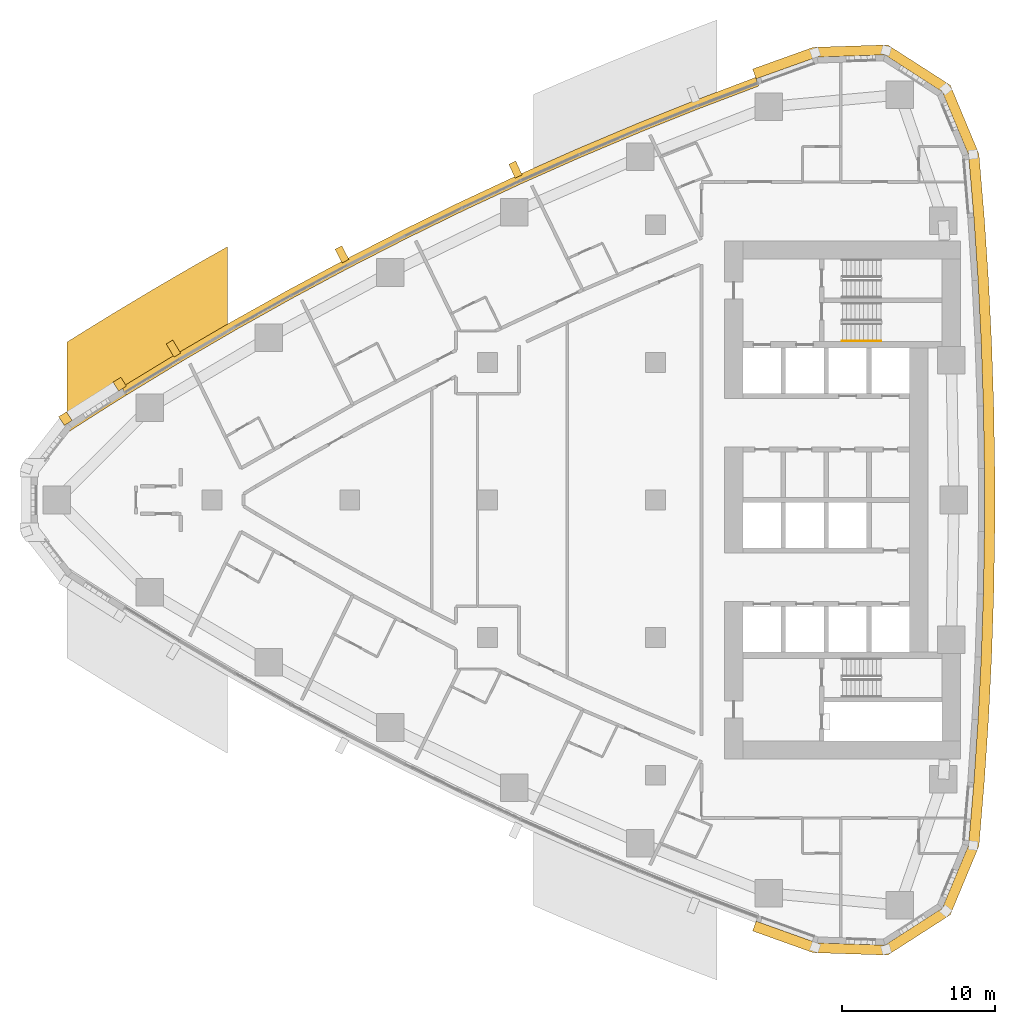
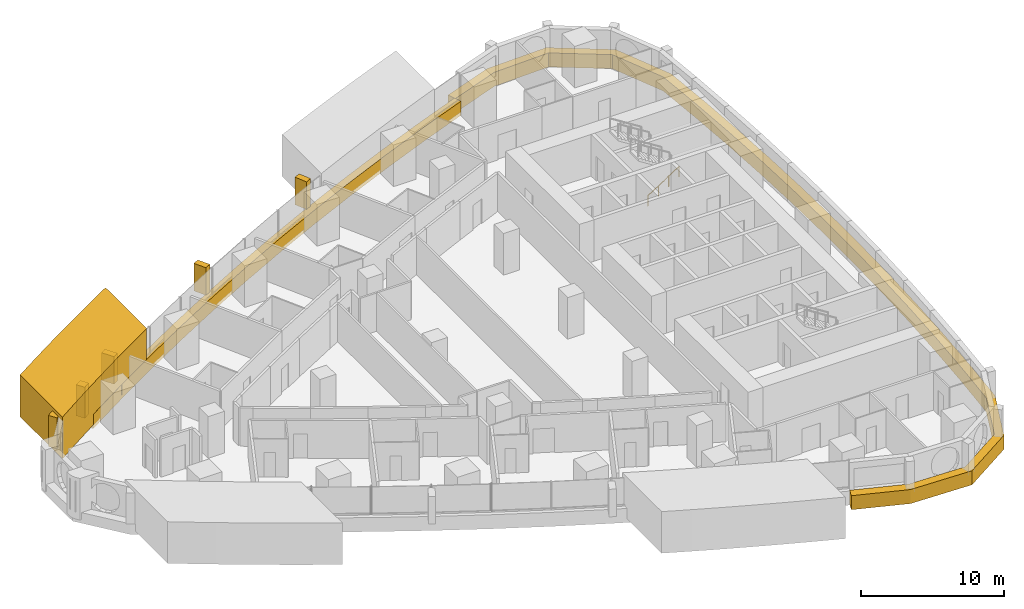
# One storey, part 17 of 19: 8 coverings, 1 railing.
"""IFC4 building model written with IfcOpenShell, lengths in metres."""

from ifc_helpers import new_model, si_unit, direction, frame, frame_2d, origin, origin_2d, place, context, subcontext, project, spatial, polyline, rectangle, circle, outline, extrude, material, layer, layer_set, type_object, element, save


model = new_model("IFC4")

# Units and contexts
model_context = context("Model", 3, precision=1e-05, world=origin(), true_north=direction((0.0, 1.0)))
body_context = subcontext(model_context, "Body", "Model", "MODEL_VIEW")
ifc_project = project(units=[si_unit("LENGTHUNIT", "METRE"), si_unit("AREAUNIT", "SQUARE_METRE"), si_unit("VOLUMEUNIT", "CUBIC_METRE"), si_unit("PLANEANGLEUNIT", "RADIAN"), si_unit("MASSUNIT", "GRAM", prefix="KILO")], contexts=[model_context])

# Site, building, storey
site_placement = place(None, origin())
site = spatial("IfcSite", under=ifc_project, at=site_placement, CompositionType="ELEMENT")
building_placement = place(site_placement, origin())
building = spatial("IfcBuilding", under=site, at=building_placement, Name="Ostrand Prow Hotel Tower", CompositionType="ELEMENT")
storey_placement = place(building_placement, frame((0.0, 0.0, 53.800048828125)))
storey = spatial("IfcBuildingStorey", under=building, at=storey_placement, Name="L11", CompositionType="ELEMENT", Elevation=53.800048828125)

# Coverings
ifc_material_1 = material(Name="Bronze anodised aluminium cladding", Category="aluminium")
ifc_layer_1 = layer(ifc_material_1, 0.60009765625)
ifc_layer_set_1 = layer_set([ifc_layer_1], Name="Bronze anodised aluminium cladding")
covering_type_1 = type_object("IfcCoveringType", Name="Bronze spandrel band 1200x600", PredefinedType="CLADDING", material=ifc_layer_set_1)
covering_1_placement = place(storey_placement, frame((0.0, 0.0, -0.300048828125)))
element("IfcCovering", 1, at=covering_1_placement, inside=storey, type_object=covering_type_1, Name="Spandrel band N1", PredefinedType="CLADDING", context=body_context, shape_type="SweptSolid", body=[
    extrude(outline(polyline([(51.5361328125, 27.6328125), (47.607666015625, 26.142578125), (43.70751953125, 24.580078125), (39.83642578125, 22.946044921875), (35.996337890625, 21.2412109375), (32.188232421875, 19.4658203125), (28.413330078125, 17.62060546875), (24.673095703125, 15.70654296875), (20.968994140625, 13.723876953125), (17.301513671875, 11.673095703125), (13.672607421875, 9.555419921875), (10.08349609375, 7.371337890625), (10.39990234375, 6.86181640625), (13.97998046875, 9.0400390625), (17.59912109375, 11.152099609375), (21.2568359375, 13.197509765625), (24.951416015625, 15.1748046875), (28.681884765625, 17.083984375), (32.44677734375, 18.92431640625), (36.244873046875, 20.695068359375), (40.074951171875, 22.3955078125), (43.935791015625, 24.025146484375), (47.82568359375, 25.58349609375), (51.743896484375, 27.070068359375), (51.5361328125, 27.6328125)])), origin(), (0.0, 0.0, 1.0), 1.199951171875),
])
covering_2_placement = place(storey_placement, frame((0.0, 0.0, -0.300048828125)))
element("IfcCovering", 2, at=covering_2_placement, inside=storey, type_object=covering_type_1, Name="Spandrel band back 1", PredefinedType="CLADDING", context=body_context, shape_type="SweptSolid", body=[
    extrude(outline(polyline([(51.335205078125, -28.177001953125), (55.300537109375, -29.5986328125), (60.16796875, -29.758056640625), (64.26318359375, -27.123046875), (66.13525390625, -22.627197265625), (66.48046875, -18.521728515625), (66.756591796875, -14.411376953125), (66.964111328125, -10.296630859375), (67.102294921875, -6.17919921875), (67.17138671875, -2.059814453125), (67.17138671875, 2.059814453125), (67.102294921875, 6.17919921875), (66.964111328125, 10.296630859375), (66.756591796875, 14.411376953125), (66.48046875, 18.521728515625), (66.13525390625, 22.627197265625), (64.26318359375, 27.123046875), (60.16796875, 29.758056640625), (55.300537109375, 29.5986328125), (51.335205078125, 28.177001953125), (51.57080078125, 27.5390625), (55.524169921875, 28.956298828125), (59.98681640625, 29.1025390625), (63.74169921875, 26.6865234375), (65.4580078125, 22.564453125), (65.802490234375, 18.470458984375), (66.077880859375, 14.371337890625), (66.28466796875, 10.26806640625), (66.422607421875, 6.162109375), (66.491455078125, 2.05419921875), (66.491455078125, -2.05419921875), (66.422607421875, -6.162109375), (66.28466796875, -10.26806640625), (66.077880859375, -14.371337890625), (65.802490234375, -18.470458984375), (65.4580078125, -22.564453125), (63.74169921875, -26.6865234375), (59.98681640625, -29.1025390625), (55.524169921875, -28.956298828125), (51.57080078125, -27.5390625), (51.335205078125, -28.177001953125)])), origin(), (0.0, 0.0, 1.0), 1.199951171875),
])
ifc_material_2 = material(Name="Limestone cladding", Category="masonry")
ifc_layer_2 = layer(ifc_material_2, 5.0)
ifc_layer_set_2 = layer_set([ifc_layer_2], Name="Limestone cladding")
covering_type_2 = type_object("IfcCoveringType", Name="Portal jamb pilaster limestone", PredefinedType="CLADDING", material=ifc_layer_set_2)
covering_3_placement = place(storey_placement, origin())
element("IfcCovering", 3, at=covering_3_placement, inside=storey, type_object=covering_type_2, Name="Portal jamb NA L11", PredefinedType="CLADDING", context=body_context, shape_type="SweptSolid", body=[
    extrude(outline(polyline([(6.5, 4.3837890625), (7.45458984375, 5.00048828125), (8.4091796875, 5.610595703125), (9.363525390625, 6.214111328125), (10.318115234375, 6.810791015625), (11.272705078125, 7.401123046875), (12.227294921875, 7.98486328125), (13.181884765625, 8.562255859375), (14.136474609375, 9.13330078125), (15.0908203125, 9.697998046875), (16.04541015625, 10.25634765625), (17.0, 10.80859375), (17.0, 16.556640625), (16.04541015625, 16.020263671875), (15.0908203125, 15.4775390625), (14.136474609375, 14.92919921875), (13.181884765625, 14.37451171875), (12.227294921875, 13.81396484375), (11.272705078125, 13.247314453125), (10.318115234375, 12.67431640625), (9.363525390625, 12.09521484375), (8.4091796875, 11.509521484375), (7.45458984375, 10.917724609375), (6.5, 10.319580078125), (6.5, 4.3837890625)])), origin(), (0.0, 0.0, 1.0), 3.550048828125),
])
ifc_material_3 = material(Name="Limestone cladding", Category="masonry")
ifc_layer_3 = layer(ifc_material_3, 0.5)
ifc_layer_set_3 = layer_set([ifc_layer_3], Name="Limestone cladding")
covering_type_3 = type_object("IfcCoveringType", Name="Precast stone fin 500x900", PredefinedType="CLADDING", material=ifc_layer_set_3)
for number, where, z_axis, x_axis, name in (
    (4, (36.037841796875, 21.150146484375, 0.89990234375), (0.0, 0.0, 1.0), (-0.414299516417, 0.910140599411, 0.0), "Stone fin N 5"),
    (5, (24.719482421875, 15.617919921875, 0.89990234375), (0.0, 0.0, 1.0), (-0.463642032659, 0.886022610068, 0.0), "Stone fin N 8"),
    (6, (13.723876953125, 9.469482421875, 0.89990234375), (0.0, 0.0, 1.0), (-0.511908673433, 0.859039876877, 0.0), "Stone fin N 11"),
):
    element("IfcCovering", number, at=place(storey_placement, frame(where, z_axis=z_axis, x_axis=x_axis)), inside=storey, type_object=covering_type_3, Name=name, PredefinedType="CLADDING", context=body_context, shape_type="SweptSolid", body=[
        extrude(rectangle(XDim=1.0, YDim=0.5, at=frame_2d((0.5, 0.0))), origin(), (0.0, 0.0, 1.0), 2.35009765625),
    ])
ifc_material_4 = material(Name="Limestone cladding", Category="masonry")
ifc_layer_4 = layer(ifc_material_4, 0.60009765625)
ifc_layer_set_4 = layer_set([ifc_layer_4], Name="Limestone cladding")
covering_type_4 = type_object("IfcCoveringType", Name="Precast stone prow rib 600x600", PredefinedType="CLADDING", material=ifc_layer_set_4)
for number, where, z_axis, x_axis, name in (
    (7, (10.13623046875, 7.286376953125, 0.599853515625), (0.0, 0.0, 1.0), (-0.527738148304, 0.849407114889, 0.0), "Stone prow rib 1"),
    (8, (6.589111328125, 5.03759765625, 0.599853515625), (0.0, 0.0, 1.0), (-0.543295944087, 0.839541253983, 0.0), "Stone prow rib 2"),
):
    element("IfcCovering", number, at=place(storey_placement, frame(where, z_axis=z_axis, x_axis=x_axis)), inside=storey, type_object=covering_type_4, Name=name, PredefinedType="CLADDING", context=body_context, shape_type="SweptSolid", body=[
        extrude(rectangle(XDim=0.679931640625, YDim=0.60009765625, at=frame_2d((0.33984375, 0.0))), origin(), (0.0, 0.0, 1.0), 2.650146484375),
    ])

# Railing
ifc_material_5 = material(Name="Stainless steel", Category="steel")
railing_type = type_object("IfcRailingType", Name="Stair handrail 900", PredefinedType="HANDRAIL", material=ifc_material_5)
railing_placement = place(storey_placement, frame((57.199951171875, 10.39990234375, 0.177490234375)))
element("IfcRailing", 9, at=railing_placement, inside=storey, type_object=railing_type, Name="L11 ST1C stair handrail 1", PredefinedType="HANDRAIL", context=body_context, shape_type="SweptSolid", body=[
    extrude(circle(Radius=0.02392578125, at=origin_2d()), frame((0.0, 0.0, 0.8759765625), z_axis=(0.84460694969, 0.0, 0.535386869969), x_axis=(0.0, 1.0, 0.0)), (0.0, 0.0, 1.0), 2.983642578125),
    extrude(circle(Radius=0.02099609375, at=origin_2d()), origin(), (0.0, 0.0, 1.0), 0.851806640625),
    extrude(circle(Radius=0.02099609375, at=origin_2d()), frame((0.840087890625, 0.0, 0.532470703125)), (0.0, 0.0, 1.0), 0.851806640625),
    extrude(circle(Radius=0.02099609375, at=origin_2d()), frame((1.679931640625, 0.0, 1.06494140625)), (0.0, 0.0, 1.0), 0.851806640625),
    extrude(circle(Radius=0.02099609375, at=origin_2d()), frame((2.52001953125, 0.0, 1.597412109375)), (0.0, 0.0, 1.0), 0.851806640625),
])

save(model, "model.ifc")
